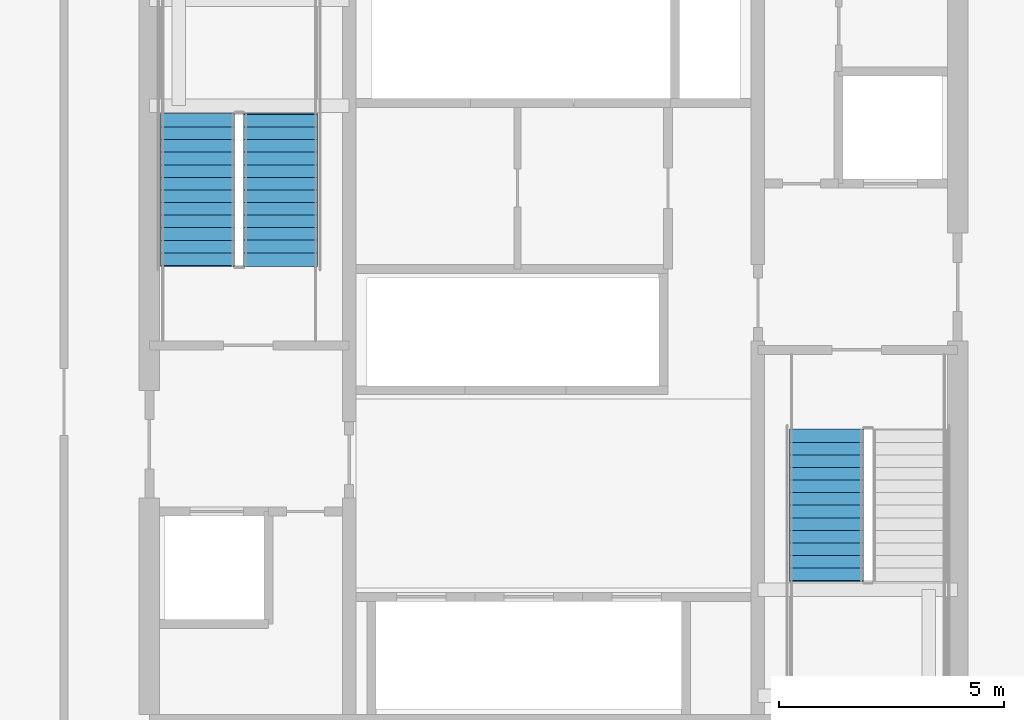
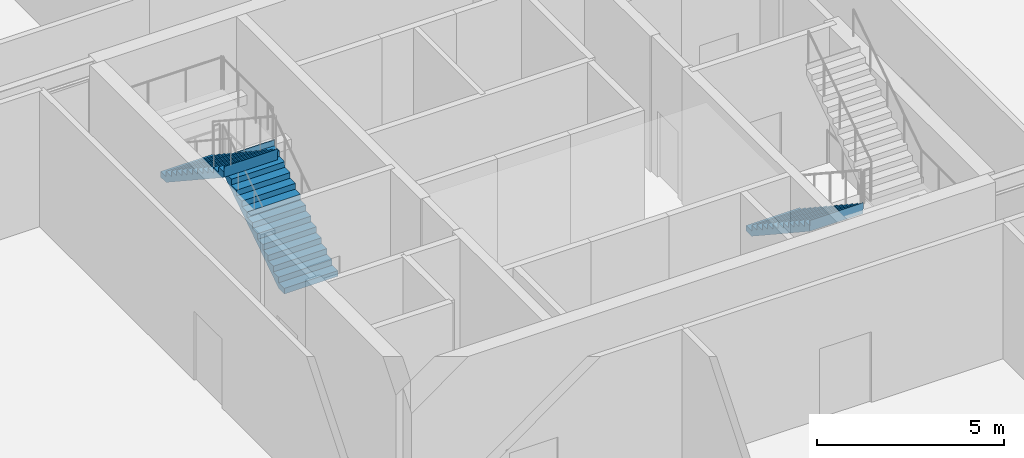
# One storey, part 16 of 20: 3 stair flights, 2 elements without a shape of their own.
"""IFC4 building model written with IfcOpenShell, lengths in metres."""

from ifc_helpers import new_model, si_unit, direction, frame, origin, place, context, subcontext, project, spatial, polygons, material, type_object, element, aggregate, save


model = new_model("IFC4")

# Units and contexts
model_context = context("Model", 3, precision=1e-05, world=origin(), true_north=direction((0.0, 1.0)))
body_context = subcontext(model_context, "Body", "Model", "MODEL_VIEW")
ifc_project = project(units=[si_unit("LENGTHUNIT", "METRE"), si_unit("AREAUNIT", "SQUARE_METRE"), si_unit("VOLUMEUNIT", "CUBIC_METRE"), si_unit("PLANEANGLEUNIT", "RADIAN"), si_unit("MASSUNIT", "GRAM", prefix="KILO")], contexts=[model_context])

# Site, building, storey
site_placement = place(None, origin())
site = spatial("IfcSite", under=ifc_project, at=site_placement, CompositionType="ELEMENT")
building_placement = place(site_placement, origin())
building = spatial("IfcBuilding", under=site, at=building_placement, Name="Serunith Strait Residences", CompositionType="ELEMENT")
storey_placement = place(building_placement, frame((0.0, 0.0, 10.5)))
storey = spatial("IfcBuildingStorey", under=building, at=storey_placement, Name="L02", CompositionType="ELEMENT", Elevation=10.5)

# Stair, stair flights
ifc_material = material(Name="Concrete C50/60", Category="concrete")
stair_type_1 = type_object("IfcStairType", Name="STR-CORE-1", PredefinedType="HALF_TURN_STAIR", material=ifc_material)
stair_1_placement = place(storey_placement, origin())
stair_1 = element("IfcStair", 1, at=stair_1_placement, inside=storey, type_object=stair_type_1, Name="L02 Protected Escape Stair ST-1", PredefinedType="HALF_TURN_STAIR")
stair_flight_type_1 = type_object("IfcStairFlightType", Name="FLT-CORE-1", PredefinedType="STRAIGHT", material=ifc_material)
stair_flight_1_placement = place(storey_placement, frame((26.324951171875, 27.030029296875, 0.0), z_axis=(0.0, 0.0, 1.0), x_axis=(0.0, 1.0, 0.0)))
stair_flight_1 = element("IfcStairFlight", 2, at=stair_flight_1_placement, type_object=stair_flight_type_1, Name="ST-1 flight 1", NumberOfRisers=13, NumberOfTreads=12, PredefinedType="STRAIGHT", RiserHeight=0.184615385, TreadLength=0.28, context=body_context, shape_type="Tessellation", body=[
    polygons([(-0.02001953125, -0.824951171875, 0.0), (-0.02001953125, -0.824951171875, 0.1845703125), (0.280029296875, -0.824951171875, 0.1845703125), (0.280029296875, -0.824951171875, 0.369140625), (0.56005859375, -0.824951171875, 0.369140625), (0.56005859375, -0.824951171875, 0.553955078125), (0.840087890625, -0.824951171875, 0.553955078125), (0.840087890625, -0.824951171875, 0.738525390625), (1.1201171875, -0.824951171875, 0.738525390625), (1.1201171875, -0.824951171875, 0.923095703125), (1.39990234375, -0.824951171875, 0.923095703125), (1.39990234375, -0.824951171875, 1.107666015625), (1.679931640625, -0.824951171875, 1.107666015625), (1.679931640625, -0.824951171875, 1.292236328125), (1.9599609375, -0.824951171875, 1.292236328125), (1.9599609375, -0.824951171875, 1.476806640625), (2.239990234375, -0.824951171875, 1.476806640625), (2.239990234375, -0.824951171875, 1.66162109375), (2.52001953125, -0.824951171875, 1.66162109375), (2.52001953125, -0.824951171875, 1.84619140625), (2.800048828125, -0.824951171875, 1.84619140625), (2.800048828125, -0.824951171875, 2.03076171875), (3.080078125, -0.824951171875, 2.03076171875), (3.080078125, -0.824951171875, 2.21533203125), (3.360107421875, -0.824951171875, 2.21533203125), (3.360107421875, -0.824951171875, 2.39990234375), (3.380126953125, -0.824951171875, 2.39990234375), (3.380126953125, -0.824951171875, 2.340087890625), (3.360107421875, -0.824951171875, 2.035888671875), (0.272216796875, -0.824951171875, 0.0), (-0.02001953125, -0.41259765625, 0.0), (-0.02001953125, -0.41259765625, 0.1845703125), (0.280029296875, -0.41259765625, 0.1845703125), (0.280029296875, -0.41259765625, 0.369140625), (0.56005859375, -0.41259765625, 0.369140625), (0.56005859375, -0.41259765625, 0.553955078125), (0.840087890625, -0.41259765625, 0.553955078125), (0.840087890625, -0.41259765625, 0.738525390625), (1.1201171875, -0.41259765625, 0.738525390625), (1.1201171875, -0.41259765625, 0.923095703125), (1.39990234375, -0.41259765625, 0.923095703125), (1.39990234375, -0.41259765625, 1.107666015625), (1.679931640625, -0.41259765625, 1.107666015625), (1.679931640625, -0.41259765625, 1.292236328125), (1.9599609375, -0.41259765625, 1.292236328125), (1.9599609375, -0.41259765625, 1.476806640625), (2.239990234375, -0.41259765625, 1.476806640625), (2.239990234375, -0.41259765625, 1.66162109375), (2.52001953125, -0.41259765625, 1.66162109375), (2.52001953125, -0.41259765625, 1.84619140625), (2.800048828125, -0.41259765625, 1.84619140625), (2.800048828125, -0.41259765625, 2.03076171875), (3.080078125, -0.41259765625, 2.03076171875), (3.080078125, -0.41259765625, 2.21533203125), (3.360107421875, -0.41259765625, 2.21533203125), (3.360107421875, -0.41259765625, 2.39990234375), (3.380126953125, -0.41259765625, 2.39990234375), (3.380126953125, -0.41259765625, 2.340087890625), (3.360107421875, -0.41259765625, 2.035888671875), (0.272216796875, -0.41259765625, 0.0), (-0.02001953125, 0.0, 0.0), (-0.02001953125, 0.0, 0.1845703125), (0.280029296875, 0.0, 0.1845703125), (0.280029296875, 0.0, 0.369140625), (0.56005859375, 0.0, 0.369140625), (0.56005859375, 0.0, 0.553955078125), (0.840087890625, 0.0, 0.553955078125), (0.840087890625, 0.0, 0.738525390625), (1.1201171875, 0.0, 0.738525390625), (1.1201171875, 0.0, 0.923095703125), (1.39990234375, 0.0, 0.923095703125), (1.39990234375, 0.0, 1.107666015625), (1.679931640625, 0.0, 1.107666015625), (1.679931640625, 0.0, 1.292236328125), (1.9599609375, 0.0, 1.292236328125), (1.9599609375, 0.0, 1.476806640625), (2.239990234375, 0.0, 1.476806640625), (2.239990234375, 0.0, 1.66162109375), (2.52001953125, 0.0, 1.66162109375), (2.52001953125, 0.0, 1.84619140625), (2.800048828125, 0.0, 1.84619140625), (2.800048828125, 0.0, 2.03076171875), (3.080078125, 0.0, 2.03076171875), (3.080078125, 0.0, 2.21533203125), (3.360107421875, 0.0, 2.21533203125), (3.360107421875, 0.0, 2.39990234375), (3.380126953125, 0.0, 2.39990234375), (3.380126953125, 0.0, 2.340087890625), (3.360107421875, 0.0, 2.035888671875), (0.272216796875, 0.0, 0.0), (-0.02001953125, 0.41259765625, 0.0), (-0.02001953125, 0.41259765625, 0.1845703125), (0.280029296875, 0.41259765625, 0.1845703125), (0.280029296875, 0.41259765625, 0.369140625), (0.56005859375, 0.41259765625, 0.369140625), (0.56005859375, 0.41259765625, 0.553955078125), (0.840087890625, 0.41259765625, 0.553955078125), (0.840087890625, 0.41259765625, 0.738525390625), (1.1201171875, 0.41259765625, 0.738525390625), (1.1201171875, 0.41259765625, 0.923095703125), (1.39990234375, 0.41259765625, 0.923095703125), (1.39990234375, 0.41259765625, 1.107666015625), (1.679931640625, 0.41259765625, 1.107666015625), (1.679931640625, 0.41259765625, 1.292236328125), (1.9599609375, 0.41259765625, 1.292236328125), (1.9599609375, 0.41259765625, 1.476806640625), (2.239990234375, 0.41259765625, 1.476806640625), (2.239990234375, 0.41259765625, 1.66162109375), (2.52001953125, 0.41259765625, 1.66162109375), (2.52001953125, 0.41259765625, 1.84619140625), (2.800048828125, 0.41259765625, 1.84619140625), (2.800048828125, 0.41259765625, 2.03076171875), (3.080078125, 0.41259765625, 2.03076171875), (3.080078125, 0.41259765625, 2.21533203125), (3.360107421875, 0.41259765625, 2.21533203125), (3.360107421875, 0.41259765625, 2.39990234375), (3.380126953125, 0.41259765625, 2.39990234375), (3.380126953125, 0.41259765625, 2.340087890625), (3.360107421875, 0.41259765625, 2.035888671875), (0.272216796875, 0.41259765625, 0.0), (-0.02001953125, 0.824951171875, 0.0), (-0.02001953125, 0.824951171875, 0.1845703125), (0.280029296875, 0.824951171875, 0.1845703125), (0.280029296875, 0.824951171875, 0.369140625), (0.56005859375, 0.824951171875, 0.369140625), (0.56005859375, 0.824951171875, 0.553955078125), (0.840087890625, 0.824951171875, 0.553955078125), (0.840087890625, 0.824951171875, 0.738525390625), (1.1201171875, 0.824951171875, 0.738525390625), (1.1201171875, 0.824951171875, 0.923095703125), (1.39990234375, 0.824951171875, 0.923095703125), (1.39990234375, 0.824951171875, 1.107666015625), (1.679931640625, 0.824951171875, 1.107666015625), (1.679931640625, 0.824951171875, 1.292236328125), (1.9599609375, 0.824951171875, 1.292236328125), (1.9599609375, 0.824951171875, 1.476806640625), (2.239990234375, 0.824951171875, 1.476806640625), (2.239990234375, 0.824951171875, 1.66162109375), (2.52001953125, 0.824951171875, 1.66162109375), (2.52001953125, 0.824951171875, 1.84619140625), (2.800048828125, 0.824951171875, 1.84619140625), (2.800048828125, 0.824951171875, 2.03076171875), (3.080078125, 0.824951171875, 2.03076171875), (3.080078125, 0.824951171875, 2.21533203125), (3.360107421875, 0.824951171875, 2.21533203125), (3.360107421875, 0.824951171875, 2.39990234375), (3.380126953125, 0.824951171875, 2.39990234375), (3.380126953125, 0.824951171875, 2.340087890625), (3.360107421875, 0.824951171875, 2.035888671875), (0.272216796875, 0.824951171875, 0.0)], [[[1, 2, 32, 31]], [[2, 3, 33, 32]], [[3, 4, 34, 33]], [[4, 5, 35, 34]], [[5, 6, 36, 35]], [[6, 7, 37, 36]], [[7, 8, 38, 37]], [[8, 9, 39, 38]], [[9, 10, 40, 39]], [[10, 11, 41, 40]], [[11, 12, 42, 41]], [[12, 13, 43, 42]], [[13, 14, 44, 43]], [[14, 15, 45, 44]], [[15, 16, 46, 45]], [[16, 17, 47, 46]], [[17, 18, 48, 47]], [[18, 19, 49, 48]], [[19, 20, 50, 49]], [[20, 21, 51, 50]], [[21, 22, 52, 51]], [[22, 23, 53, 52]], [[23, 24, 54, 53]], [[24, 25, 55, 54]], [[25, 26, 56, 55]], [[26, 27, 57, 56]], [[27, 28, 58, 57]], [[28, 29, 59, 58]], [[29, 30, 60, 59]], [[30, 1, 31, 60]], [[31, 32, 62, 61]], [[32, 33, 63, 62]], [[33, 34, 64, 63]], [[34, 35, 65, 64]], [[35, 36, 66, 65]], [[36, 37, 67, 66]], [[37, 38, 68, 67]], [[38, 39, 69, 68]], [[39, 40, 70, 69]], [[40, 41, 71, 70]], [[41, 42, 72, 71]], [[42, 43, 73, 72]], [[43, 44, 74, 73]], [[44, 45, 75, 74]], [[45, 46, 76, 75]], [[46, 47, 77, 76]], [[47, 48, 78, 77]], [[48, 49, 79, 78]], [[49, 50, 80, 79]], [[50, 51, 81, 80]], [[51, 52, 82, 81]], [[52, 53, 83, 82]], [[53, 54, 84, 83]], [[54, 55, 85, 84]], [[55, 56, 86, 85]], [[56, 57, 87, 86]], [[57, 58, 88, 87]], [[58, 59, 89, 88]], [[59, 60, 90, 89]], [[60, 31, 61, 90]], [[61, 62, 92, 91]], [[62, 63, 93, 92]], [[63, 64, 94, 93]], [[64, 65, 95, 94]], [[65, 66, 96, 95]], [[66, 67, 97, 96]], [[67, 68, 98, 97]], [[68, 69, 99, 98]], [[69, 70, 100, 99]], [[70, 71, 101, 100]], [[71, 72, 102, 101]], [[72, 73, 103, 102]], [[73, 74, 104, 103]], [[74, 75, 105, 104]], [[75, 76, 106, 105]], [[76, 77, 107, 106]], [[77, 78, 108, 107]], [[78, 79, 109, 108]], [[79, 80, 110, 109]], [[80, 81, 111, 110]], [[81, 82, 112, 111]], [[82, 83, 113, 112]], [[83, 84, 114, 113]], [[84, 85, 115, 114]], [[85, 86, 116, 115]], [[86, 87, 117, 116]], [[87, 88, 118, 117]], [[88, 89, 119, 118]], [[89, 90, 120, 119]], [[90, 61, 91, 120]], [[91, 92, 122, 121]], [[92, 93, 123, 122]], [[93, 94, 124, 123]], [[94, 95, 125, 124]], [[95, 96, 126, 125]], [[96, 97, 127, 126]], [[97, 98, 128, 127]], [[98, 99, 129, 128]], [[99, 100, 130, 129]], [[100, 101, 131, 130]], [[101, 102, 132, 131]], [[102, 103, 133, 132]], [[103, 104, 134, 133]], [[104, 105, 135, 134]], [[105, 106, 136, 135]], [[106, 107, 137, 136]], [[107, 108, 138, 137]], [[108, 109, 139, 138]], [[109, 110, 140, 139]], [[110, 111, 141, 140]], [[111, 112, 142, 141]], [[112, 113, 143, 142]], [[113, 114, 144, 143]], [[114, 115, 145, 144]], [[115, 116, 146, 145]], [[116, 117, 147, 146]], [[117, 118, 148, 147]], [[118, 119, 149, 148]], [[119, 120, 150, 149]], [[120, 91, 121, 150]], [[30, 29, 28, 27, 26, 25, 24, 23, 22, 21, 20, 19, 18, 17, 16, 15, 14, 13, 12, 11, 10, 9, 8, 7, 6, 5, 4, 3, 2, 1]], [[121, 122, 123, 124, 125, 126, 127, 128, 129, 130, 131, 132, 133, 134, 135, 136, 137, 138, 139, 140, 141, 142, 143, 144, 145, 146, 147, 148, 149, 150]]], closed=True),
])
stair_flight_2_placement = place(storey_placement, frame((24.47509765625, 30.389892578125, 2.39990234375), z_axis=(0.0, 0.0, 1.0), x_axis=(0.0, -1.0, 0.0)))
stair_flight_2 = element("IfcStairFlight", 3, at=stair_flight_2_placement, type_object=stair_flight_type_1, Name="ST-1 flight 2", NumberOfRisers=13, NumberOfTreads=12, PredefinedType="STRAIGHT", RiserHeight=0.184615385, TreadLength=0.28, context=body_context, shape_type="Tessellation", body=[
    polygons([(-0.02001953125, -0.824951171875, 0.0), (-0.02001953125, -0.824951171875, 0.1845703125), (0.280029296875, -0.824951171875, 0.1845703125), (0.280029296875, -0.824951171875, 0.369140625), (0.56005859375, -0.824951171875, 0.369140625), (0.56005859375, -0.824951171875, 0.553955078125), (0.840087890625, -0.824951171875, 0.553955078125), (0.840087890625, -0.824951171875, 0.738525390625), (1.1201171875, -0.824951171875, 0.738525390625), (1.1201171875, -0.824951171875, 0.923095703125), (1.39990234375, -0.824951171875, 0.923095703125), (1.39990234375, -0.824951171875, 1.107666015625), (1.679931640625, -0.824951171875, 1.107666015625), (1.679931640625, -0.824951171875, 1.292236328125), (1.9599609375, -0.824951171875, 1.292236328125), (1.9599609375, -0.824951171875, 1.476806640625), (2.239990234375, -0.824951171875, 1.476806640625), (2.239990234375, -0.824951171875, 1.66162109375), (2.52001953125, -0.824951171875, 1.66162109375), (2.52001953125, -0.824951171875, 1.84619140625), (2.800048828125, -0.824951171875, 1.84619140625), (2.800048828125, -0.824951171875, 2.03076171875), (3.080078125, -0.824951171875, 2.03076171875), (3.080078125, -0.824951171875, 2.21533203125), (3.360107421875, -0.824951171875, 2.21533203125), (3.360107421875, -0.824951171875, 2.39990234375), (3.380126953125, -0.824951171875, 2.39990234375), (3.380126953125, -0.824951171875, 2.340087890625), (3.360107421875, -0.824951171875, 2.035888671875), (0.272216796875, -0.824951171875, 0.0), (-0.02001953125, -0.41259765625, 0.0), (-0.02001953125, -0.41259765625, 0.1845703125), (0.280029296875, -0.41259765625, 0.1845703125), (0.280029296875, -0.41259765625, 0.369140625), (0.56005859375, -0.41259765625, 0.369140625), (0.56005859375, -0.41259765625, 0.553955078125), (0.840087890625, -0.41259765625, 0.553955078125), (0.840087890625, -0.41259765625, 0.738525390625), (1.1201171875, -0.41259765625, 0.738525390625), (1.1201171875, -0.41259765625, 0.923095703125), (1.39990234375, -0.41259765625, 0.923095703125), (1.39990234375, -0.41259765625, 1.107666015625), (1.679931640625, -0.41259765625, 1.107666015625), (1.679931640625, -0.41259765625, 1.292236328125), (1.9599609375, -0.41259765625, 1.292236328125), (1.9599609375, -0.41259765625, 1.476806640625), (2.239990234375, -0.41259765625, 1.476806640625), (2.239990234375, -0.41259765625, 1.66162109375), (2.52001953125, -0.41259765625, 1.66162109375), (2.52001953125, -0.41259765625, 1.84619140625), (2.800048828125, -0.41259765625, 1.84619140625), (2.800048828125, -0.41259765625, 2.03076171875), (3.080078125, -0.41259765625, 2.03076171875), (3.080078125, -0.41259765625, 2.21533203125), (3.360107421875, -0.41259765625, 2.21533203125), (3.360107421875, -0.41259765625, 2.39990234375), (3.380126953125, -0.41259765625, 2.39990234375), (3.380126953125, -0.41259765625, 2.340087890625), (3.360107421875, -0.41259765625, 2.035888671875), (0.272216796875, -0.41259765625, 0.0), (-0.02001953125, 0.0, 0.0), (-0.02001953125, 0.0, 0.1845703125), (0.280029296875, 0.0, 0.1845703125), (0.280029296875, 0.0, 0.369140625), (0.56005859375, 0.0, 0.369140625), (0.56005859375, 0.0, 0.553955078125), (0.840087890625, 0.0, 0.553955078125), (0.840087890625, 0.0, 0.738525390625), (1.1201171875, 0.0, 0.738525390625), (1.1201171875, 0.0, 0.923095703125), (1.39990234375, 0.0, 0.923095703125), (1.39990234375, 0.0, 1.107666015625), (1.679931640625, 0.0, 1.107666015625), (1.679931640625, 0.0, 1.292236328125), (1.9599609375, 0.0, 1.292236328125), (1.9599609375, 0.0, 1.476806640625), (2.239990234375, 0.0, 1.476806640625), (2.239990234375, 0.0, 1.66162109375), (2.52001953125, 0.0, 1.66162109375), (2.52001953125, 0.0, 1.84619140625), (2.800048828125, 0.0, 1.84619140625), (2.800048828125, 0.0, 2.03076171875), (3.080078125, 0.0, 2.03076171875), (3.080078125, 0.0, 2.21533203125), (3.360107421875, 0.0, 2.21533203125), (3.360107421875, 0.0, 2.39990234375), (3.380126953125, 0.0, 2.39990234375), (3.380126953125, 0.0, 2.340087890625), (3.360107421875, 0.0, 2.035888671875), (0.272216796875, 0.0, 0.0), (-0.02001953125, 0.41259765625, 0.0), (-0.02001953125, 0.41259765625, 0.1845703125), (0.280029296875, 0.41259765625, 0.1845703125), (0.280029296875, 0.41259765625, 0.369140625), (0.56005859375, 0.41259765625, 0.369140625), (0.56005859375, 0.41259765625, 0.553955078125), (0.840087890625, 0.41259765625, 0.553955078125), (0.840087890625, 0.41259765625, 0.738525390625), (1.1201171875, 0.41259765625, 0.738525390625), (1.1201171875, 0.41259765625, 0.923095703125), (1.39990234375, 0.41259765625, 0.923095703125), (1.39990234375, 0.41259765625, 1.107666015625), (1.679931640625, 0.41259765625, 1.107666015625), (1.679931640625, 0.41259765625, 1.292236328125), (1.9599609375, 0.41259765625, 1.292236328125), (1.9599609375, 0.41259765625, 1.476806640625), (2.239990234375, 0.41259765625, 1.476806640625), (2.239990234375, 0.41259765625, 1.66162109375), (2.52001953125, 0.41259765625, 1.66162109375), (2.52001953125, 0.41259765625, 1.84619140625), (2.800048828125, 0.41259765625, 1.84619140625), (2.800048828125, 0.41259765625, 2.03076171875), (3.080078125, 0.41259765625, 2.03076171875), (3.080078125, 0.41259765625, 2.21533203125), (3.360107421875, 0.41259765625, 2.21533203125), (3.360107421875, 0.41259765625, 2.39990234375), (3.380126953125, 0.41259765625, 2.39990234375), (3.380126953125, 0.41259765625, 2.340087890625), (3.360107421875, 0.41259765625, 2.035888671875), (0.272216796875, 0.41259765625, 0.0), (-0.02001953125, 0.824951171875, 0.0), (-0.02001953125, 0.824951171875, 0.1845703125), (0.280029296875, 0.824951171875, 0.1845703125), (0.280029296875, 0.824951171875, 0.369140625), (0.56005859375, 0.824951171875, 0.369140625), (0.56005859375, 0.824951171875, 0.553955078125), (0.840087890625, 0.824951171875, 0.553955078125), (0.840087890625, 0.824951171875, 0.738525390625), (1.1201171875, 0.824951171875, 0.738525390625), (1.1201171875, 0.824951171875, 0.923095703125), (1.39990234375, 0.824951171875, 0.923095703125), (1.39990234375, 0.824951171875, 1.107666015625), (1.679931640625, 0.824951171875, 1.107666015625), (1.679931640625, 0.824951171875, 1.292236328125), (1.9599609375, 0.824951171875, 1.292236328125), (1.9599609375, 0.824951171875, 1.476806640625), (2.239990234375, 0.824951171875, 1.476806640625), (2.239990234375, 0.824951171875, 1.66162109375), (2.52001953125, 0.824951171875, 1.66162109375), (2.52001953125, 0.824951171875, 1.84619140625), (2.800048828125, 0.824951171875, 1.84619140625), (2.800048828125, 0.824951171875, 2.03076171875), (3.080078125, 0.824951171875, 2.03076171875), (3.080078125, 0.824951171875, 2.21533203125), (3.360107421875, 0.824951171875, 2.21533203125), (3.360107421875, 0.824951171875, 2.39990234375), (3.380126953125, 0.824951171875, 2.39990234375), (3.380126953125, 0.824951171875, 2.340087890625), (3.360107421875, 0.824951171875, 2.035888671875), (0.272216796875, 0.824951171875, 0.0)], [[[1, 2, 32, 31]], [[2, 3, 33, 32]], [[3, 4, 34, 33]], [[4, 5, 35, 34]], [[5, 6, 36, 35]], [[6, 7, 37, 36]], [[7, 8, 38, 37]], [[8, 9, 39, 38]], [[9, 10, 40, 39]], [[10, 11, 41, 40]], [[11, 12, 42, 41]], [[12, 13, 43, 42]], [[13, 14, 44, 43]], [[14, 15, 45, 44]], [[15, 16, 46, 45]], [[16, 17, 47, 46]], [[17, 18, 48, 47]], [[18, 19, 49, 48]], [[19, 20, 50, 49]], [[20, 21, 51, 50]], [[21, 22, 52, 51]], [[22, 23, 53, 52]], [[23, 24, 54, 53]], [[24, 25, 55, 54]], [[25, 26, 56, 55]], [[26, 27, 57, 56]], [[27, 28, 58, 57]], [[28, 29, 59, 58]], [[29, 30, 60, 59]], [[30, 1, 31, 60]], [[31, 32, 62, 61]], [[32, 33, 63, 62]], [[33, 34, 64, 63]], [[34, 35, 65, 64]], [[35, 36, 66, 65]], [[36, 37, 67, 66]], [[37, 38, 68, 67]], [[38, 39, 69, 68]], [[39, 40, 70, 69]], [[40, 41, 71, 70]], [[41, 42, 72, 71]], [[42, 43, 73, 72]], [[43, 44, 74, 73]], [[44, 45, 75, 74]], [[45, 46, 76, 75]], [[46, 47, 77, 76]], [[47, 48, 78, 77]], [[48, 49, 79, 78]], [[49, 50, 80, 79]], [[50, 51, 81, 80]], [[51, 52, 82, 81]], [[52, 53, 83, 82]], [[53, 54, 84, 83]], [[54, 55, 85, 84]], [[55, 56, 86, 85]], [[56, 57, 87, 86]], [[57, 58, 88, 87]], [[58, 59, 89, 88]], [[59, 60, 90, 89]], [[60, 31, 61, 90]], [[61, 62, 92, 91]], [[62, 63, 93, 92]], [[63, 64, 94, 93]], [[64, 65, 95, 94]], [[65, 66, 96, 95]], [[66, 67, 97, 96]], [[67, 68, 98, 97]], [[68, 69, 99, 98]], [[69, 70, 100, 99]], [[70, 71, 101, 100]], [[71, 72, 102, 101]], [[72, 73, 103, 102]], [[73, 74, 104, 103]], [[74, 75, 105, 104]], [[75, 76, 106, 105]], [[76, 77, 107, 106]], [[77, 78, 108, 107]], [[78, 79, 109, 108]], [[79, 80, 110, 109]], [[80, 81, 111, 110]], [[81, 82, 112, 111]], [[82, 83, 113, 112]], [[83, 84, 114, 113]], [[84, 85, 115, 114]], [[85, 86, 116, 115]], [[86, 87, 117, 116]], [[87, 88, 118, 117]], [[88, 89, 119, 118]], [[89, 90, 120, 119]], [[90, 61, 91, 120]], [[91, 92, 122, 121]], [[92, 93, 123, 122]], [[93, 94, 124, 123]], [[94, 95, 125, 124]], [[95, 96, 126, 125]], [[96, 97, 127, 126]], [[97, 98, 128, 127]], [[98, 99, 129, 128]], [[99, 100, 130, 129]], [[100, 101, 131, 130]], [[101, 102, 132, 131]], [[102, 103, 133, 132]], [[103, 104, 134, 133]], [[104, 105, 135, 134]], [[105, 106, 136, 135]], [[106, 107, 137, 136]], [[107, 108, 138, 137]], [[108, 109, 139, 138]], [[109, 110, 140, 139]], [[110, 111, 141, 140]], [[111, 112, 142, 141]], [[112, 113, 143, 142]], [[113, 114, 144, 143]], [[114, 115, 145, 144]], [[115, 116, 146, 145]], [[116, 117, 147, 146]], [[117, 118, 148, 147]], [[118, 119, 149, 148]], [[119, 120, 150, 149]], [[120, 91, 121, 150]], [[30, 29, 28, 27, 26, 25, 24, 23, 22, 21, 20, 19, 18, 17, 16, 15, 14, 13, 12, 11, 10, 9, 8, 7, 6, 5, 4, 3, 2, 1]], [[121, 122, 123, 124, 125, 126, 127, 128, 129, 130, 131, 132, 133, 134, 135, 136, 137, 138, 139, 140, 141, 142, 143, 144, 145, 146, 147, 148, 149, 150]]], closed=True),
])
aggregate(stair_1, [stair_flight_1, stair_flight_2])

# Stair, stair flight
stair_type_2 = type_object("IfcStairType", Name="STR-CORE-2", PredefinedType="HALF_TURN_STAIR", material=ifc_material)
stair_2_placement = place(storey_placement, origin())
stair_2 = element("IfcStair", 4, at=stair_2_placement, inside=storey, type_object=stair_type_2, Name="L02 Protected Escape Stair ST-2", PredefinedType="HALF_TURN_STAIR")
stair_flight_type_2 = type_object("IfcStairFlightType", Name="FLT-CORE-2", PredefinedType="STRAIGHT", material=ifc_material)
stair_flight_3_placement = place(storey_placement, frame((38.47509765625, 23.3701171875, 0.0), z_axis=(0.0, 0.0, 1.0), x_axis=(0.0, -1.0, 0.0)))
stair_flight_3 = element("IfcStairFlight", 5, at=stair_flight_3_placement, type_object=stair_flight_type_2, Name="ST-2 flight 1", NumberOfRisers=13, NumberOfTreads=12, PredefinedType="STRAIGHT", RiserHeight=0.184615385, TreadLength=0.28, context=body_context, shape_type="Tessellation", body=[
    polygons([(-0.02001953125, -0.824951171875, 0.0), (-0.02001953125, -0.824951171875, 0.1845703125), (0.280029296875, -0.824951171875, 0.1845703125), (0.280029296875, -0.824951171875, 0.369140625), (0.56005859375, -0.824951171875, 0.369140625), (0.56005859375, -0.824951171875, 0.553955078125), (0.840087890625, -0.824951171875, 0.553955078125), (0.840087890625, -0.824951171875, 0.738525390625), (1.1201171875, -0.824951171875, 0.738525390625), (1.1201171875, -0.824951171875, 0.923095703125), (1.39990234375, -0.824951171875, 0.923095703125), (1.39990234375, -0.824951171875, 1.107666015625), (1.679931640625, -0.824951171875, 1.107666015625), (1.679931640625, -0.824951171875, 1.292236328125), (1.9599609375, -0.824951171875, 1.292236328125), (1.9599609375, -0.824951171875, 1.476806640625), (2.239990234375, -0.824951171875, 1.476806640625), (2.239990234375, -0.824951171875, 1.66162109375), (2.52001953125, -0.824951171875, 1.66162109375), (2.52001953125, -0.824951171875, 1.84619140625), (2.800048828125, -0.824951171875, 1.84619140625), (2.800048828125, -0.824951171875, 2.03076171875), (3.080078125, -0.824951171875, 2.03076171875), (3.080078125, -0.824951171875, 2.21533203125), (3.360107421875, -0.824951171875, 2.21533203125), (3.360107421875, -0.824951171875, 2.39990234375), (3.380126953125, -0.824951171875, 2.39990234375), (3.380126953125, -0.824951171875, 2.340087890625), (3.360107421875, -0.824951171875, 2.035888671875), (0.272216796875, -0.824951171875, 0.0), (-0.02001953125, -0.41259765625, 0.0), (-0.02001953125, -0.41259765625, 0.1845703125), (0.280029296875, -0.41259765625, 0.1845703125), (0.280029296875, -0.41259765625, 0.369140625), (0.56005859375, -0.41259765625, 0.369140625), (0.56005859375, -0.41259765625, 0.553955078125), (0.840087890625, -0.41259765625, 0.553955078125), (0.840087890625, -0.41259765625, 0.738525390625), (1.1201171875, -0.41259765625, 0.738525390625), (1.1201171875, -0.41259765625, 0.923095703125), (1.39990234375, -0.41259765625, 0.923095703125), (1.39990234375, -0.41259765625, 1.107666015625), (1.679931640625, -0.41259765625, 1.107666015625), (1.679931640625, -0.41259765625, 1.292236328125), (1.9599609375, -0.41259765625, 1.292236328125), (1.9599609375, -0.41259765625, 1.476806640625), (2.239990234375, -0.41259765625, 1.476806640625), (2.239990234375, -0.41259765625, 1.66162109375), (2.52001953125, -0.41259765625, 1.66162109375), (2.52001953125, -0.41259765625, 1.84619140625), (2.800048828125, -0.41259765625, 1.84619140625), (2.800048828125, -0.41259765625, 2.03076171875), (3.080078125, -0.41259765625, 2.03076171875), (3.080078125, -0.41259765625, 2.21533203125), (3.360107421875, -0.41259765625, 2.21533203125), (3.360107421875, -0.41259765625, 2.39990234375), (3.380126953125, -0.41259765625, 2.39990234375), (3.380126953125, -0.41259765625, 2.340087890625), (3.360107421875, -0.41259765625, 2.035888671875), (0.272216796875, -0.41259765625, 0.0), (-0.02001953125, 0.0, 0.0), (-0.02001953125, 0.0, 0.1845703125), (0.280029296875, 0.0, 0.1845703125), (0.280029296875, 0.0, 0.369140625), (0.56005859375, 0.0, 0.369140625), (0.56005859375, 0.0, 0.553955078125), (0.840087890625, 0.0, 0.553955078125), (0.840087890625, 0.0, 0.738525390625), (1.1201171875, 0.0, 0.738525390625), (1.1201171875, 0.0, 0.923095703125), (1.39990234375, 0.0, 0.923095703125), (1.39990234375, 0.0, 1.107666015625), (1.679931640625, 0.0, 1.107666015625), (1.679931640625, 0.0, 1.292236328125), (1.9599609375, 0.0, 1.292236328125), (1.9599609375, 0.0, 1.476806640625), (2.239990234375, 0.0, 1.476806640625), (2.239990234375, 0.0, 1.66162109375), (2.52001953125, 0.0, 1.66162109375), (2.52001953125, 0.0, 1.84619140625), (2.800048828125, 0.0, 1.84619140625), (2.800048828125, 0.0, 2.03076171875), (3.080078125, 0.0, 2.03076171875), (3.080078125, 0.0, 2.21533203125), (3.360107421875, 0.0, 2.21533203125), (3.360107421875, 0.0, 2.39990234375), (3.380126953125, 0.0, 2.39990234375), (3.380126953125, 0.0, 2.340087890625), (3.360107421875, 0.0, 2.035888671875), (0.272216796875, 0.0, 0.0), (-0.02001953125, 0.41259765625, 0.0), (-0.02001953125, 0.41259765625, 0.1845703125), (0.280029296875, 0.41259765625, 0.1845703125), (0.280029296875, 0.41259765625, 0.369140625), (0.56005859375, 0.41259765625, 0.369140625), (0.56005859375, 0.41259765625, 0.553955078125), (0.840087890625, 0.41259765625, 0.553955078125), (0.840087890625, 0.41259765625, 0.738525390625), (1.1201171875, 0.41259765625, 0.738525390625), (1.1201171875, 0.41259765625, 0.923095703125), (1.39990234375, 0.41259765625, 0.923095703125), (1.39990234375, 0.41259765625, 1.107666015625), (1.679931640625, 0.41259765625, 1.107666015625), (1.679931640625, 0.41259765625, 1.292236328125), (1.9599609375, 0.41259765625, 1.292236328125), (1.9599609375, 0.41259765625, 1.476806640625), (2.239990234375, 0.41259765625, 1.476806640625), (2.239990234375, 0.41259765625, 1.66162109375), (2.52001953125, 0.41259765625, 1.66162109375), (2.52001953125, 0.41259765625, 1.84619140625), (2.800048828125, 0.41259765625, 1.84619140625), (2.800048828125, 0.41259765625, 2.03076171875), (3.080078125, 0.41259765625, 2.03076171875), (3.080078125, 0.41259765625, 2.21533203125), (3.360107421875, 0.41259765625, 2.21533203125), (3.360107421875, 0.41259765625, 2.39990234375), (3.380126953125, 0.41259765625, 2.39990234375), (3.380126953125, 0.41259765625, 2.340087890625), (3.360107421875, 0.41259765625, 2.035888671875), (0.272216796875, 0.41259765625, 0.0), (-0.02001953125, 0.824951171875, 0.0), (-0.02001953125, 0.824951171875, 0.1845703125), (0.280029296875, 0.824951171875, 0.1845703125), (0.280029296875, 0.824951171875, 0.369140625), (0.56005859375, 0.824951171875, 0.369140625), (0.56005859375, 0.824951171875, 0.553955078125), (0.840087890625, 0.824951171875, 0.553955078125), (0.840087890625, 0.824951171875, 0.738525390625), (1.1201171875, 0.824951171875, 0.738525390625), (1.1201171875, 0.824951171875, 0.923095703125), (1.39990234375, 0.824951171875, 0.923095703125), (1.39990234375, 0.824951171875, 1.107666015625), (1.679931640625, 0.824951171875, 1.107666015625), (1.679931640625, 0.824951171875, 1.292236328125), (1.9599609375, 0.824951171875, 1.292236328125), (1.9599609375, 0.824951171875, 1.476806640625), (2.239990234375, 0.824951171875, 1.476806640625), (2.239990234375, 0.824951171875, 1.66162109375), (2.52001953125, 0.824951171875, 1.66162109375), (2.52001953125, 0.824951171875, 1.84619140625), (2.800048828125, 0.824951171875, 1.84619140625), (2.800048828125, 0.824951171875, 2.03076171875), (3.080078125, 0.824951171875, 2.03076171875), (3.080078125, 0.824951171875, 2.21533203125), (3.360107421875, 0.824951171875, 2.21533203125), (3.360107421875, 0.824951171875, 2.39990234375), (3.380126953125, 0.824951171875, 2.39990234375), (3.380126953125, 0.824951171875, 2.340087890625), (3.360107421875, 0.824951171875, 2.035888671875), (0.272216796875, 0.824951171875, 0.0)], [[[1, 2, 32, 31]], [[2, 3, 33, 32]], [[3, 4, 34, 33]], [[4, 5, 35, 34]], [[5, 6, 36, 35]], [[6, 7, 37, 36]], [[7, 8, 38, 37]], [[8, 9, 39, 38]], [[9, 10, 40, 39]], [[10, 11, 41, 40]], [[11, 12, 42, 41]], [[12, 13, 43, 42]], [[13, 14, 44, 43]], [[14, 15, 45, 44]], [[15, 16, 46, 45]], [[16, 17, 47, 46]], [[17, 18, 48, 47]], [[18, 19, 49, 48]], [[19, 20, 50, 49]], [[20, 21, 51, 50]], [[21, 22, 52, 51]], [[22, 23, 53, 52]], [[23, 24, 54, 53]], [[24, 25, 55, 54]], [[25, 26, 56, 55]], [[26, 27, 57, 56]], [[27, 28, 58, 57]], [[28, 29, 59, 58]], [[29, 30, 60, 59]], [[30, 1, 31, 60]], [[31, 32, 62, 61]], [[32, 33, 63, 62]], [[33, 34, 64, 63]], [[34, 35, 65, 64]], [[35, 36, 66, 65]], [[36, 37, 67, 66]], [[37, 38, 68, 67]], [[38, 39, 69, 68]], [[39, 40, 70, 69]], [[40, 41, 71, 70]], [[41, 42, 72, 71]], [[42, 43, 73, 72]], [[43, 44, 74, 73]], [[44, 45, 75, 74]], [[45, 46, 76, 75]], [[46, 47, 77, 76]], [[47, 48, 78, 77]], [[48, 49, 79, 78]], [[49, 50, 80, 79]], [[50, 51, 81, 80]], [[51, 52, 82, 81]], [[52, 53, 83, 82]], [[53, 54, 84, 83]], [[54, 55, 85, 84]], [[55, 56, 86, 85]], [[56, 57, 87, 86]], [[57, 58, 88, 87]], [[58, 59, 89, 88]], [[59, 60, 90, 89]], [[60, 31, 61, 90]], [[61, 62, 92, 91]], [[62, 63, 93, 92]], [[63, 64, 94, 93]], [[64, 65, 95, 94]], [[65, 66, 96, 95]], [[66, 67, 97, 96]], [[67, 68, 98, 97]], [[68, 69, 99, 98]], [[69, 70, 100, 99]], [[70, 71, 101, 100]], [[71, 72, 102, 101]], [[72, 73, 103, 102]], [[73, 74, 104, 103]], [[74, 75, 105, 104]], [[75, 76, 106, 105]], [[76, 77, 107, 106]], [[77, 78, 108, 107]], [[78, 79, 109, 108]], [[79, 80, 110, 109]], [[80, 81, 111, 110]], [[81, 82, 112, 111]], [[82, 83, 113, 112]], [[83, 84, 114, 113]], [[84, 85, 115, 114]], [[85, 86, 116, 115]], [[86, 87, 117, 116]], [[87, 88, 118, 117]], [[88, 89, 119, 118]], [[89, 90, 120, 119]], [[90, 61, 91, 120]], [[91, 92, 122, 121]], [[92, 93, 123, 122]], [[93, 94, 124, 123]], [[94, 95, 125, 124]], [[95, 96, 126, 125]], [[96, 97, 127, 126]], [[97, 98, 128, 127]], [[98, 99, 129, 128]], [[99, 100, 130, 129]], [[100, 101, 131, 130]], [[101, 102, 132, 131]], [[102, 103, 133, 132]], [[103, 104, 134, 133]], [[104, 105, 135, 134]], [[105, 106, 136, 135]], [[106, 107, 137, 136]], [[107, 108, 138, 137]], [[108, 109, 139, 138]], [[109, 110, 140, 139]], [[110, 111, 141, 140]], [[111, 112, 142, 141]], [[112, 113, 143, 142]], [[113, 114, 144, 143]], [[114, 115, 145, 144]], [[115, 116, 146, 145]], [[116, 117, 147, 146]], [[117, 118, 148, 147]], [[118, 119, 149, 148]], [[119, 120, 150, 149]], [[120, 91, 121, 150]], [[30, 29, 28, 27, 26, 25, 24, 23, 22, 21, 20, 19, 18, 17, 16, 15, 14, 13, 12, 11, 10, 9, 8, 7, 6, 5, 4, 3, 2, 1]], [[121, 122, 123, 124, 125, 126, 127, 128, 129, 130, 131, 132, 133, 134, 135, 136, 137, 138, 139, 140, 141, 142, 143, 144, 145, 146, 147, 148, 149, 150]]], closed=True),
])
aggregate(stair_2, [stair_flight_3])

save(model, "model.ifc")
